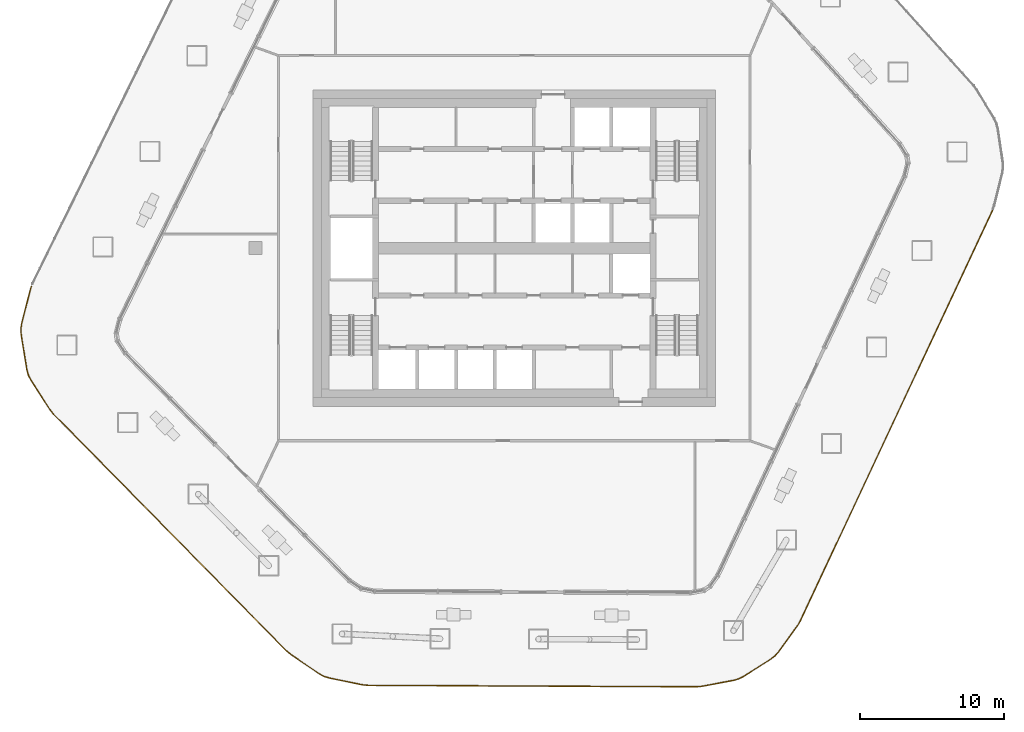
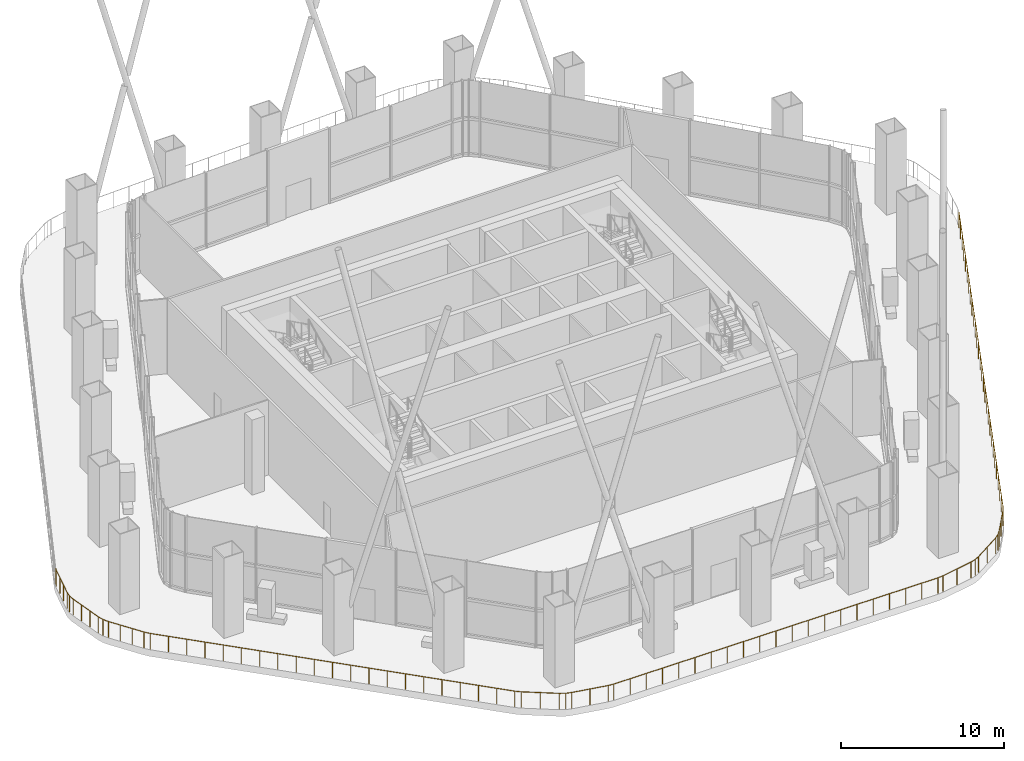
# One storey, part 16 of 20: 1 railing.
"""IFC4 building model written with IfcOpenShell, lengths in metres."""

from ifc_helpers import new_model, si_unit, direction, frame, origin, origin_2d, place, context, subcontext, project, spatial, circle, extrude, material, type_object, element, save


model = new_model("IFC4")

# Units and contexts
model_context = context("Model", 3, precision=1e-05, world=origin(), true_north=direction((0.0, 1.0)))
body_context = subcontext(model_context, "Body", "Model", "MODEL_VIEW")
ifc_project = project(units=[si_unit("LENGTHUNIT", "METRE"), si_unit("AREAUNIT", "SQUARE_METRE"), si_unit("VOLUMEUNIT", "CUBIC_METRE"), si_unit("PLANEANGLEUNIT", "RADIAN"), si_unit("MASSUNIT", "GRAM", prefix="KILO")], contexts=[model_context])

# Site, building, storey
site_placement = place(None, origin())
site = spatial("IfcSite", under=ifc_project, at=site_placement, CompositionType="ELEMENT")
building_placement = place(site_placement, origin())
building = spatial("IfcBuilding", under=site, at=building_placement, Name="Dongbaek Canopy Tower", CompositionType="ELEMENT")
storey_placement = place(building_placement, frame((0.0, 0.0, 353.0)))
storey = spatial("IfcBuildingStorey", under=building, at=storey_placement, Name="L76", CompositionType="ELEMENT", Elevation=353.0)

# Railing
ifc_material = material(Name="Toughened laminated glass in stainless steel", Category="steel")
railing_type = type_object("IfcRailingType", Name="Glazed deck guard 1200", PredefinedType="GUARDRAIL", material=ifc_material)
railing_placement = place(storey_placement, frame((33.26611328125, 2.617919921875, 0.0)))
element("IfcRailing", 1, at=railing_placement, inside=storey, type_object=railing_type, Name="Glazed deck guard L76 1", PredefinedType="GUARDRAIL", context=body_context, shape_type="SweptSolid", body=[
    extrude(circle(Radius=0.02392578125, at=origin_2d()), frame((0.0, 0.0, 1.17578125), z_axis=(-0.424118861344, -0.905606532359, 0.0), x_axis=(0.905606532359, -0.424118861344, 0.0)), (0.0, 0.0, 1.0), 31.5341796875),
    extrude(circle(Radius=0.02392578125, at=origin_2d()), frame((-13.374267578125, -28.5576171875, 1.17578125), z_axis=(-0.507935209004, -0.861395277125, 0.0), x_axis=(0.861395277125, -0.507935209004, 0.0)), (0.0, 0.0, 1.0), 0.373046875),
    extrude(circle(Radius=0.02392578125, at=origin_2d()), frame((-13.563720703125, -28.87890625, 1.17578125), z_axis=(-0.587192846563, -0.80944707112, 0.0), x_axis=(0.80944707112, -0.587192846563, 0.0)), (0.0, 0.0, 1.0), 2.255126953125),
    extrude(circle(Radius=0.02392578125, at=origin_2d()), frame((-14.887939453125, -30.704345703125, 1.17578125), z_axis=(-0.661163217517, -0.750242094129, 0.0), x_axis=(0.750242094129, -0.661163217517, 0.0)), (0.0, 0.0, 1.0), 0.3701171875),
    extrude(circle(Radius=0.02392578125, at=origin_2d()), frame((-15.132568359375, -30.98193359375, 1.17578125), z_axis=(-0.790558811563, -0.612386124483, 0.0), x_axis=(0.612386124483, -0.790558811563, 0.0)), (0.0, 0.0, 1.0), 0.369873046875),
    extrude(circle(Radius=0.02392578125, at=origin_2d()), frame((-15.425048828125, -31.20849609375, 1.17578125), z_axis=(-0.845053880001, -0.534681157228, 0.0), x_axis=(0.534681157228, -0.845053880001, 0.0)), (0.0, 0.0, 1.0), 2.255126953125),
    extrude(circle(Radius=0.02392578125, at=origin_2d()), frame((-17.330810546875, -32.414306640625, 1.17578125), z_axis=(-0.891638077921, -0.452748868582, 0.0), x_axis=(0.452748868582, -0.891638077921, 0.0)), (0.0, 0.0, 1.0), 0.369873046875),
    extrude(circle(Radius=0.02392578125, at=origin_2d()), frame((-17.66064453125, -32.581787109375, 1.17578125), z_axis=(-0.961224634072, -0.275766573124, 0.0), x_axis=(0.275766573124, -0.961224634072, 0.0)), (0.0, 0.0, 1.0), 0.3701171875),
    extrude(circle(Radius=0.02392578125, at=origin_2d()), frame((-18.016357421875, -32.683837890625, 1.17578125), z_axis=(-0.982921171589, -0.184027091597, 0.0), x_axis=(0.184027091597, -0.982921171589, 0.0)), (0.0, 0.0, 1.0), 2.25537109375),
    extrude(circle(Radius=0.02392578125, at=origin_2d()), frame((-20.233154296875, -33.098876953125, 1.17578125), z_axis=(-0.995903940442, -0.090417594593, 0.0), x_axis=(0.090417594593, -0.995903940442, 0.0)), (0.0, 0.0, 1.0), 0.37255859375),
    extrude(circle(Radius=0.02392578125, at=origin_2d()), frame((-20.604248046875, -33.132568359375, 1.17578125), z_axis=(-0.999990021163, 0.004467390172, 0.0), x_axis=(-0.004467390172, -0.999990021163, 0.0)), (0.0, 0.0, 1.0), 22.843505859375),
    extrude(circle(Radius=0.02392578125, at=origin_2d()), frame((-43.447509765625, -33.030517578125, 1.17578125), z_axis=(-0.994714004649, 0.102684219606, 0.0), x_axis=(-0.102684219606, -0.994714004649, 0.0)), (0.0, 0.0, 1.0), 0.387451171875),
    extrude(circle(Radius=0.02392578125, at=origin_2d()), frame((-43.8330078125, -32.99072265625, 1.17578125), z_axis=(-0.979742803434, 0.200259928891, 0.0), x_axis=(-0.200259928891, -0.979742803434, 0.0)), (0.0, 0.0, 1.0), 2.344482421875),
    extrude(circle(Radius=0.02392578125, at=origin_2d()), frame((-46.1298828125, -32.521240234375, 1.17578125), z_axis=(-0.955311483741, 0.295601030162, 0.0), x_axis=(-0.295601030162, -0.955311483741, 0.0)), (0.0, 0.0, 1.0), 0.384765625),
    extrude(circle(Radius=0.02392578125, at=origin_2d()), frame((-46.49755859375, -32.407470703125, 1.17578125), z_axis=(-0.878815421463, 0.477161875047, 0.0), x_axis=(-0.477161875047, -0.878815421463, 0.0)), (0.0, 0.0, 1.0), 0.384765625),
    extrude(circle(Radius=0.02392578125, at=origin_2d()), frame((-46.835693359375, -32.223876953125, 1.17578125), z_axis=(-0.827650281714, 0.561244163603, 0.0), x_axis=(-0.561244163603, -0.827650281714, 0.0)), (0.0, 0.0, 1.0), 2.34423828125),
    extrude(circle(Radius=0.02392578125, at=origin_2d()), frame((-48.77587890625, -30.908203125, 1.17578125), z_axis=(-0.768685502569, 0.639626921057, 0.0), x_axis=(-0.639626921057, -0.768685502569, 0.0)), (0.0, 0.0, 1.0), 0.3876953125),
    extrude(circle(Radius=0.02392578125, at=origin_2d()), frame((-49.073974609375, -30.66015625, 1.17578125), z_axis=(-0.70171705341, 0.712455736838, 0.0), x_axis=(-0.712455736838, -0.70171705341, 0.0)), (0.0, 0.0, 1.0), 23.143798828125),
    extrude(circle(Radius=0.02392578125, at=origin_2d()), frame((-65.314453125, -14.171142578125, 1.17578125), z_axis=(-0.624695047554, 0.780868809443, 0.0), x_axis=(-0.780868809443, -0.624695047554, 0.0)), (0.0, 0.0, 1.0), 0.40478515625),
    extrude(circle(Radius=0.02392578125, at=origin_2d()), frame((-65.5673828125, -13.85498046875, 1.17578125), z_axis=(-0.541317362574, 0.840818359086, 0.0), x_axis=(-0.840818359086, -0.541317362574, 0.0)), (0.0, 0.0, 1.0), 2.4462890625),
    extrude(circle(Radius=0.02392578125, at=origin_2d()), frame((-66.8916015625, -11.798095703125, 1.17578125), z_axis=(-0.452313066567, 0.891859232061, 0.0), x_axis=(-0.891859232061, -0.452313066567, 0.0)), (0.0, 0.0, 1.0), 0.401611328125),
    extrude(circle(Radius=0.02392578125, at=origin_2d()), frame((-67.0732421875, -11.43994140625, 1.17578125), z_axis=(-0.260235124744, 0.965545275919, 0.0), x_axis=(-0.965545275919, -0.260235124744, 0.0)), (0.0, 0.0, 1.0), 0.401611328125),
    extrude(circle(Radius=0.02392578125, at=origin_2d()), frame((-67.177734375, -11.05224609375, 1.17578125), z_axis=(-0.159687413626, 0.987167630106, 0.0), x_axis=(-0.987167630106, -0.159687413626, 0.0)), (0.0, 0.0, 1.0), 2.4462890625),
    extrude(circle(Radius=0.02392578125, at=origin_2d()), frame((-67.568359375, -8.637451171875, 1.17578125), z_axis=(-0.057119009983, 0.99836737662, 0.0), x_axis=(-0.99836737662, -0.057119009983, 0.0)), (0.0, 0.0, 1.0), 0.40185546875),
    extrude(circle(Radius=0.02392578125, at=origin_2d()), frame((-67.59130859375, -8.236328125, 1.17578125), z_axis=(0.147716188827, 0.989029791037, 0.0), x_axis=(-0.989029791037, 0.147716188827, 0.0)), (0.0, 0.0, 1.0), 0.401611328125),
    extrude(circle(Radius=0.02392578125, at=origin_2d()), frame((-67.531982421875, -7.839111328125, 1.17578125), z_axis=(0.24861306349, 0.968602882848, 0.0), x_axis=(-0.968602882848, 0.24861306349, 0.0)), (0.0, 0.0, 1.0), 2.4462890625),
    extrude(circle(Radius=0.02392578125, at=origin_2d()), frame((-66.923828125, -5.4697265625, 1.17578125), z_axis=(0.347197775721, 0.937791930299, 0.0), x_axis=(-0.937791930299, 0.347197775721, 0.0)), (0.0, 0.0, 1.0), 0.20458984375),
    extrude(circle(Radius=0.02099609375, at=origin_2d()), origin(), (0.0, 0.0, 1.0), 1.15185546875),
    extrude(circle(Radius=0.02099609375, at=origin_2d()), frame((-0.495361328125, -1.0576171875, 0.0)), (0.0, 0.0, 1.0), 1.15185546875),
    extrude(circle(Radius=0.02099609375, at=origin_2d()), frame((-0.99072265625, -2.115478515625, 0.0)), (0.0, 0.0, 1.0), 1.15185546875),
    extrude(circle(Radius=0.02099609375, at=origin_2d()), frame((-1.486083984375, -3.173095703125, 0.0)), (0.0, 0.0, 1.0), 1.15185546875),
    extrude(circle(Radius=0.02099609375, at=origin_2d()), frame((-1.9814453125, -4.230712890625, 0.0)), (0.0, 0.0, 1.0), 1.15185546875),
    extrude(circle(Radius=0.02099609375, at=origin_2d()), frame((-2.476806640625, -5.288330078125, 0.0)), (0.0, 0.0, 1.0), 1.15185546875),
    extrude(circle(Radius=0.02099609375, at=origin_2d()), frame((-2.97216796875, -6.34619140625, 0.0)), (0.0, 0.0, 1.0), 1.15185546875),
    extrude(circle(Radius=0.02099609375, at=origin_2d()), frame((-3.46728515625, -7.40380859375, 0.0)), (0.0, 0.0, 1.0), 1.15185546875),
    extrude(circle(Radius=0.02099609375, at=origin_2d()), frame((-3.962646484375, -8.46142578125, 0.0)), (0.0, 0.0, 1.0), 1.15185546875),
    extrude(circle(Radius=0.02099609375, at=origin_2d()), frame((-4.4580078125, -9.519287109375, 0.0)), (0.0, 0.0, 1.0), 1.15185546875),
    extrude(circle(Radius=0.02099609375, at=origin_2d()), frame((-4.953369140625, -10.576904296875, 0.0)), (0.0, 0.0, 1.0), 1.15185546875),
    extrude(circle(Radius=0.02099609375, at=origin_2d()), frame((-5.44873046875, -11.634521484375, 0.0)), (0.0, 0.0, 1.0), 1.15185546875),
    extrude(circle(Radius=0.02099609375, at=origin_2d()), frame((-5.944091796875, -12.6923828125, 0.0)), (0.0, 0.0, 1.0), 1.15185546875),
    extrude(circle(Radius=0.02099609375, at=origin_2d()), frame((-6.439453125, -13.75, 0.0)), (0.0, 0.0, 1.0), 1.15185546875),
    extrude(circle(Radius=0.02099609375, at=origin_2d()), frame((-6.934814453125, -14.8076171875, 0.0)), (0.0, 0.0, 1.0), 1.15185546875),
    extrude(circle(Radius=0.02099609375, at=origin_2d()), frame((-7.43017578125, -15.865234375, 0.0)), (0.0, 0.0, 1.0), 1.15185546875),
    extrude(circle(Radius=0.02099609375, at=origin_2d()), frame((-7.925537109375, -16.923095703125, 0.0)), (0.0, 0.0, 1.0), 1.15185546875),
    extrude(circle(Radius=0.02099609375, at=origin_2d()), frame((-8.4208984375, -17.980712890625, 0.0)), (0.0, 0.0, 1.0), 1.15185546875),
    extrude(circle(Radius=0.02099609375, at=origin_2d()), frame((-8.916259765625, -19.038330078125, 0.0)), (0.0, 0.0, 1.0), 1.15185546875),
    extrude(circle(Radius=0.02099609375, at=origin_2d()), frame((-9.41162109375, -20.09619140625, 0.0)), (0.0, 0.0, 1.0), 1.15185546875),
    extrude(circle(Radius=0.02099609375, at=origin_2d()), frame((-9.906982421875, -21.15380859375, 0.0)), (0.0, 0.0, 1.0), 1.15185546875),
    extrude(circle(Radius=0.02099609375, at=origin_2d()), frame((-10.402099609375, -22.21142578125, 0.0)), (0.0, 0.0, 1.0), 1.15185546875),
    extrude(circle(Radius=0.02099609375, at=origin_2d()), frame((-10.8974609375, -23.269287109375, 0.0)), (0.0, 0.0, 1.0), 1.15185546875),
    extrude(circle(Radius=0.02099609375, at=origin_2d()), frame((-11.392822265625, -24.326904296875, 0.0)), (0.0, 0.0, 1.0), 1.15185546875),
    extrude(circle(Radius=0.02099609375, at=origin_2d()), frame((-11.88818359375, -25.384521484375, 0.0)), (0.0, 0.0, 1.0), 1.15185546875),
    extrude(circle(Radius=0.02099609375, at=origin_2d()), frame((-12.383544921875, -26.442138671875, 0.0)), (0.0, 0.0, 1.0), 1.15185546875),
    extrude(circle(Radius=0.02099609375, at=origin_2d()), frame((-12.87890625, -27.5, 0.0)), (0.0, 0.0, 1.0), 1.15185546875),
    extrude(circle(Radius=0.02099609375, at=origin_2d()), frame((-13.374267578125, -28.5576171875, 0.0)), (0.0, 0.0, 1.0), 1.15185546875),
    extrude(circle(Radius=0.02099609375, at=origin_2d()), frame((-13.563720703125, -28.87890625, 0.0)), (0.0, 0.0, 1.0), 1.15185546875),
    extrude(circle(Radius=0.02099609375, at=origin_2d()), frame((-14.225830078125, -29.79150390625, 0.0)), (0.0, 0.0, 1.0), 1.15185546875),
    extrude(circle(Radius=0.02099609375, at=origin_2d()), frame((-14.887939453125, -30.704345703125, 0.0)), (0.0, 0.0, 1.0), 1.15185546875),
    extrude(circle(Radius=0.02099609375, at=origin_2d()), frame((-15.132568359375, -30.98193359375, 0.0)), (0.0, 0.0, 1.0), 1.15185546875),
    extrude(circle(Radius=0.02099609375, at=origin_2d()), frame((-15.425048828125, -31.20849609375, 0.0)), (0.0, 0.0, 1.0), 1.15185546875),
    extrude(circle(Radius=0.02099609375, at=origin_2d()), frame((-16.3779296875, -31.8115234375, 0.0)), (0.0, 0.0, 1.0), 1.15185546875),
    extrude(circle(Radius=0.02099609375, at=origin_2d()), frame((-17.330810546875, -32.414306640625, 0.0)), (0.0, 0.0, 1.0), 1.15185546875),
    extrude(circle(Radius=0.02099609375, at=origin_2d()), frame((-17.66064453125, -32.581787109375, 0.0)), (0.0, 0.0, 1.0), 1.15185546875),
    extrude(circle(Radius=0.02099609375, at=origin_2d()), frame((-18.016357421875, -32.683837890625, 0.0)), (0.0, 0.0, 1.0), 1.15185546875),
    extrude(circle(Radius=0.02099609375, at=origin_2d()), frame((-19.124755859375, -32.891357421875, 0.0)), (0.0, 0.0, 1.0), 1.15185546875),
    extrude(circle(Radius=0.02099609375, at=origin_2d()), frame((-20.233154296875, -33.098876953125, 0.0)), (0.0, 0.0, 1.0), 1.15185546875),
    extrude(circle(Radius=0.02099609375, at=origin_2d()), frame((-20.604248046875, -33.132568359375, 0.0)), (0.0, 0.0, 1.0), 1.15185546875),
    extrude(circle(Radius=0.02099609375, at=origin_2d()), frame((-21.746337890625, -33.12744140625, 0.0)), (0.0, 0.0, 1.0), 1.15185546875),
    extrude(circle(Radius=0.02099609375, at=origin_2d()), frame((-22.888671875, -33.122314453125, 0.0)), (0.0, 0.0, 1.0), 1.15185546875),
    extrude(circle(Radius=0.02099609375, at=origin_2d()), frame((-24.03076171875, -33.1171875, 0.0)), (0.0, 0.0, 1.0), 1.15185546875),
    extrude(circle(Radius=0.02099609375, at=origin_2d()), frame((-25.1728515625, -33.112060546875, 0.0)), (0.0, 0.0, 1.0), 1.15185546875),
    extrude(circle(Radius=0.02099609375, at=origin_2d()), frame((-26.31494140625, -33.10693359375, 0.0)), (0.0, 0.0, 1.0), 1.15185546875),
    extrude(circle(Radius=0.02099609375, at=origin_2d()), frame((-27.457275390625, -33.10205078125, 0.0)), (0.0, 0.0, 1.0), 1.15185546875),
    extrude(circle(Radius=0.02099609375, at=origin_2d()), frame((-28.599365234375, -33.096923828125, 0.0)), (0.0, 0.0, 1.0), 1.15185546875),
    extrude(circle(Radius=0.02099609375, at=origin_2d()), frame((-29.741455078125, -33.091796875, 0.0)), (0.0, 0.0, 1.0), 1.15185546875),
    extrude(circle(Radius=0.02099609375, at=origin_2d()), frame((-30.8837890625, -33.086669921875, 0.0)), (0.0, 0.0, 1.0), 1.15185546875),
    extrude(circle(Radius=0.02099609375, at=origin_2d()), frame((-32.02587890625, -33.08154296875, 0.0)), (0.0, 0.0, 1.0), 1.15185546875),
    extrude(circle(Radius=0.02099609375, at=origin_2d()), frame((-33.16796875, -33.076416015625, 0.0)), (0.0, 0.0, 1.0), 1.15185546875),
    extrude(circle(Radius=0.02099609375, at=origin_2d()), frame((-34.310302734375, -33.0712890625, 0.0)), (0.0, 0.0, 1.0), 1.15185546875),
    extrude(circle(Radius=0.02099609375, at=origin_2d()), frame((-35.452392578125, -33.066162109375, 0.0)), (0.0, 0.0, 1.0), 1.15185546875),
    extrude(circle(Radius=0.02099609375, at=origin_2d()), frame((-36.594482421875, -33.06103515625, 0.0)), (0.0, 0.0, 1.0), 1.15185546875),
    extrude(circle(Radius=0.02099609375, at=origin_2d()), frame((-37.73681640625, -33.05615234375, 0.0)), (0.0, 0.0, 1.0), 1.15185546875),
    extrude(circle(Radius=0.02099609375, at=origin_2d()), frame((-38.87890625, -33.051025390625, 0.0)), (0.0, 0.0, 1.0), 1.15185546875),
    extrude(circle(Radius=0.02099609375, at=origin_2d()), frame((-40.02099609375, -33.0458984375, 0.0)), (0.0, 0.0, 1.0), 1.15185546875),
    extrude(circle(Radius=0.02099609375, at=origin_2d()), frame((-41.1630859375, -33.040771484375, 0.0)), (0.0, 0.0, 1.0), 1.15185546875),
    extrude(circle(Radius=0.02099609375, at=origin_2d()), frame((-42.305419921875, -33.03564453125, 0.0)), (0.0, 0.0, 1.0), 1.15185546875),
    extrude(circle(Radius=0.02099609375, at=origin_2d()), frame((-43.447509765625, -33.030517578125, 0.0)), (0.0, 0.0, 1.0), 1.15185546875),
    extrude(circle(Radius=0.02099609375, at=origin_2d()), frame((-43.8330078125, -32.99072265625, 0.0)), (0.0, 0.0, 1.0), 1.15185546875),
    extrude(circle(Radius=0.02099609375, at=origin_2d()), frame((-44.9814453125, -32.755859375, 0.0)), (0.0, 0.0, 1.0), 1.15185546875),
    extrude(circle(Radius=0.02099609375, at=origin_2d()), frame((-46.1298828125, -32.521240234375, 0.0)), (0.0, 0.0, 1.0), 1.15185546875),
    extrude(circle(Radius=0.02099609375, at=origin_2d()), frame((-46.49755859375, -32.407470703125, 0.0)), (0.0, 0.0, 1.0), 1.15185546875),
    extrude(circle(Radius=0.02099609375, at=origin_2d()), frame((-46.835693359375, -32.223876953125, 0.0)), (0.0, 0.0, 1.0), 1.15185546875),
    extrude(circle(Radius=0.02099609375, at=origin_2d()), frame((-47.8056640625, -31.56591796875, 0.0)), (0.0, 0.0, 1.0), 1.15185546875),
    extrude(circle(Radius=0.02099609375, at=origin_2d()), frame((-48.77587890625, -30.908203125, 0.0)), (0.0, 0.0, 1.0), 1.15185546875),
    extrude(circle(Radius=0.02099609375, at=origin_2d()), frame((-49.073974609375, -30.66015625, 0.0)), (0.0, 0.0, 1.0), 1.15185546875),
    extrude(circle(Radius=0.02099609375, at=origin_2d()), frame((-49.885986328125, -29.835693359375, 0.0)), (0.0, 0.0, 1.0), 1.15185546875),
    extrude(circle(Radius=0.02099609375, at=origin_2d()), frame((-50.697998046875, -29.01123046875, 0.0)), (0.0, 0.0, 1.0), 1.15185546875),
    extrude(circle(Radius=0.02099609375, at=origin_2d()), frame((-51.510009765625, -28.186767578125, 0.0)), (0.0, 0.0, 1.0), 1.15185546875),
    extrude(circle(Radius=0.02099609375, at=origin_2d()), frame((-52.322021484375, -27.3623046875, 0.0)), (0.0, 0.0, 1.0), 1.15185546875),
    extrude(circle(Radius=0.02099609375, at=origin_2d()), frame((-53.134033203125, -26.537841796875, 0.0)), (0.0, 0.0, 1.0), 1.15185546875),
    extrude(circle(Radius=0.02099609375, at=origin_2d()), frame((-53.946044921875, -25.71337890625, 0.0)), (0.0, 0.0, 1.0), 1.15185546875),
    extrude(circle(Radius=0.02099609375, at=origin_2d()), frame((-54.758056640625, -24.888916015625, 0.0)), (0.0, 0.0, 1.0), 1.15185546875),
    extrude(circle(Radius=0.02099609375, at=origin_2d()), frame((-55.570068359375, -24.064453125, 0.0)), (0.0, 0.0, 1.0), 1.15185546875),
    extrude(circle(Radius=0.02099609375, at=origin_2d()), frame((-56.382080078125, -23.239990234375, 0.0)), (0.0, 0.0, 1.0), 1.15185546875),
    extrude(circle(Radius=0.02099609375, at=origin_2d()), frame((-57.1943359375, -22.41552734375, 0.0)), (0.0, 0.0, 1.0), 1.15185546875),
    extrude(circle(Radius=0.02099609375, at=origin_2d()), frame((-58.00634765625, -21.59130859375, 0.0)), (0.0, 0.0, 1.0), 1.15185546875),
    extrude(circle(Radius=0.02099609375, at=origin_2d()), frame((-58.818359375, -20.766845703125, 0.0)), (0.0, 0.0, 1.0), 1.15185546875),
    extrude(circle(Radius=0.02099609375, at=origin_2d()), frame((-59.63037109375, -19.9423828125, 0.0)), (0.0, 0.0, 1.0), 1.15185546875),
    extrude(circle(Radius=0.02099609375, at=origin_2d()), frame((-60.4423828125, -19.117919921875, 0.0)), (0.0, 0.0, 1.0), 1.15185546875),
    extrude(circle(Radius=0.02099609375, at=origin_2d()), frame((-61.25439453125, -18.29345703125, 0.0)), (0.0, 0.0, 1.0), 1.15185546875),
    extrude(circle(Radius=0.02099609375, at=origin_2d()), frame((-62.06640625, -17.468994140625, 0.0)), (0.0, 0.0, 1.0), 1.15185546875),
    extrude(circle(Radius=0.02099609375, at=origin_2d()), frame((-62.87841796875, -16.64453125, 0.0)), (0.0, 0.0, 1.0), 1.15185546875),
    extrude(circle(Radius=0.02099609375, at=origin_2d()), frame((-63.6904296875, -15.820068359375, 0.0)), (0.0, 0.0, 1.0), 1.15185546875),
    extrude(circle(Radius=0.02099609375, at=origin_2d()), frame((-64.50244140625, -14.99560546875, 0.0)), (0.0, 0.0, 1.0), 1.15185546875),
    extrude(circle(Radius=0.02099609375, at=origin_2d()), frame((-65.314453125, -14.171142578125, 0.0)), (0.0, 0.0, 1.0), 1.15185546875),
    extrude(circle(Radius=0.02099609375, at=origin_2d()), frame((-65.5673828125, -13.85498046875, 0.0)), (0.0, 0.0, 1.0), 1.15185546875),
    extrude(circle(Radius=0.02099609375, at=origin_2d()), frame((-66.0087890625, -13.16943359375, 0.0)), (0.0, 0.0, 1.0), 1.15185546875),
    extrude(circle(Radius=0.02099609375, at=origin_2d()), frame((-66.4501953125, -12.483642578125, 0.0)), (0.0, 0.0, 1.0), 1.15185546875),
    extrude(circle(Radius=0.02099609375, at=origin_2d()), frame((-66.8916015625, -11.798095703125, 0.0)), (0.0, 0.0, 1.0), 1.15185546875),
    extrude(circle(Radius=0.02099609375, at=origin_2d()), frame((-67.0732421875, -11.43994140625, 0.0)), (0.0, 0.0, 1.0), 1.15185546875),
    extrude(circle(Radius=0.02099609375, at=origin_2d()), frame((-67.177734375, -11.05224609375, 0.0)), (0.0, 0.0, 1.0), 1.15185546875),
    extrude(circle(Radius=0.02099609375, at=origin_2d()), frame((-67.307861328125, -10.247314453125, 0.0)), (0.0, 0.0, 1.0), 1.15185546875),
    extrude(circle(Radius=0.02099609375, at=origin_2d()), frame((-67.438232421875, -9.4423828125, 0.0)), (0.0, 0.0, 1.0), 1.15185546875),
    extrude(circle(Radius=0.02099609375, at=origin_2d()), frame((-67.568359375, -8.637451171875, 0.0)), (0.0, 0.0, 1.0), 1.15185546875),
    extrude(circle(Radius=0.02099609375, at=origin_2d()), frame((-67.59130859375, -8.236328125, 0.0)), (0.0, 0.0, 1.0), 1.15185546875),
    extrude(circle(Radius=0.02099609375, at=origin_2d()), frame((-67.531982421875, -7.839111328125, 0.0)), (0.0, 0.0, 1.0), 1.15185546875),
    extrude(circle(Radius=0.02099609375, at=origin_2d()), frame((-67.329345703125, -7.04931640625, 0.0)), (0.0, 0.0, 1.0), 1.15185546875),
    extrude(circle(Radius=0.02099609375, at=origin_2d()), frame((-67.12646484375, -6.259521484375, 0.0)), (0.0, 0.0, 1.0), 1.15185546875),
    extrude(circle(Radius=0.02099609375, at=origin_2d()), frame((-66.923828125, -5.4697265625, 0.0)), (0.0, 0.0, 1.0), 1.15185546875),
    extrude(circle(Radius=0.02099609375, at=origin_2d()), frame((-66.852783203125, -5.27783203125, 0.0)), (0.0, 0.0, 1.0), 1.15185546875),
])

save(model, "model.ifc")
